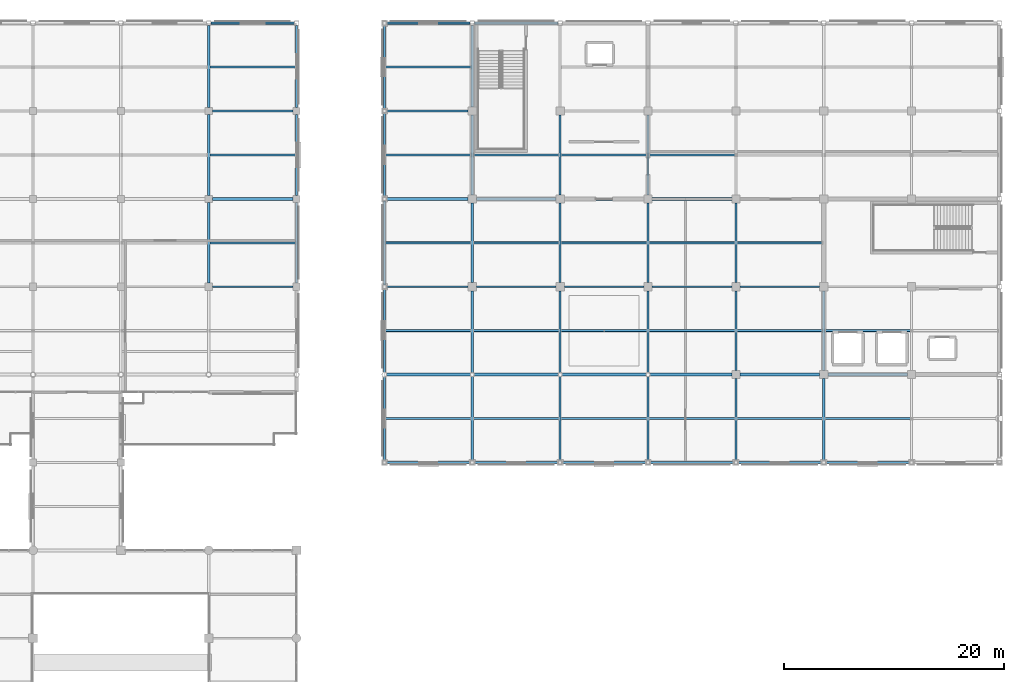
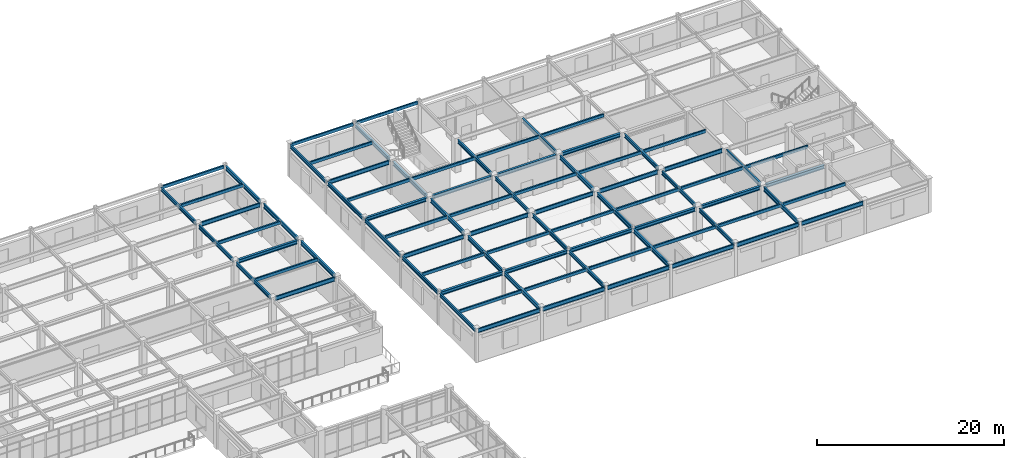
# One storey, part 49 of 93: 82 beams.
"""IFC4 building model written with IfcOpenShell, lengths in metres."""

from ifc_helpers import new_model, si_unit, direction, frame, origin, origin_2d, place, context, subcontext, project, spatial, hollow_rectangle, i_section, extrude, material, material_profile, profile_set, type_object, element, save


model = new_model("IFC4")

# Units and contexts
model_context = context("Model", 3, precision=1e-05, world=origin(), true_north=direction((0.0, 1.0)))
body_context = subcontext(model_context, "Body", "Model", "MODEL_VIEW")
ifc_project = project(units=[si_unit("LENGTHUNIT", "METRE"), si_unit("AREAUNIT", "SQUARE_METRE"), si_unit("VOLUMEUNIT", "CUBIC_METRE"), si_unit("PLANEANGLEUNIT", "RADIAN"), si_unit("MASSUNIT", "GRAM", prefix="KILO")], contexts=[model_context])

# Site, building, storey
site_placement = place(None, origin())
site = spatial("IfcSite", under=ifc_project, at=site_placement, CompositionType="ELEMENT")
building_placement = place(site_placement, origin())
building = spatial("IfcBuilding", under=site, at=building_placement, Name="Solmirada Galleria", CompositionType="ELEMENT")
storey_placement = place(building_placement, frame((0.0, 0.0, 14.89990234375)))
storey = spatial("IfcBuildingStorey", under=building, at=storey_placement, Name="L03", CompositionType="ELEMENT", Elevation=14.89990234375)

# Beams
ifc_material_1 = material(Name="Steel S355 / ASTM A992 Grade 50", Category="steel")
ifc_material_profile_1 = material_profile(ifc_material_1, i_section(OverallWidth=0.281982421875, OverallDepth=0.467041015625, WebThickness=0.01220703125, FlangeThickness=0.01953125, FilletRadius=0.013916015625, at=origin_2d()), Name="W18X86")
ifc_profile_set_1 = profile_set([ifc_material_profile_1], Name="Steel S355 / ASTM A992 Grade 50")
beam_type_1 = type_object("IfcBeamType", Name="BM-GIRD-W18A", PredefinedType="BEAM", material=ifc_profile_set_1)
beam_1_placement = place(storey_placement, frame((104.324951171875, 104.0, 4.066650390625), z_axis=(1.0, 0.0, 0.0), x_axis=(0.0, 1.0, 0.0)))
element("IfcBeam", 1, at=beam_1_placement, inside=storey, type_object=beam_type_1, Name="Primary beam L04 X(104..112, 104)", PredefinedType="BEAM", context=body_context, shape_type="SweptSolid", body=[
    extrude(i_section(OverallWidth=0.281982421875, OverallDepth=0.467041015625, WebThickness=0.01220703125, FlangeThickness=0.01953125, FilletRadius=0.013916015625, at=origin_2d()), origin(), (0.0, 0.0, 1.0), 7.35009765625),
])
beam_2_placement = place(storey_placement, frame((120.19189453125, 88.0, 4.026611328125), z_axis=(1.0, 0.0, 0.0), x_axis=(0.0, 1.0, 0.0)))
element("IfcBeam", 2, at=beam_2_placement, inside=storey, type_object=beam_type_1, Name="Primary beam L04 X(120..128, 88)", PredefinedType="BEAM", context=body_context, shape_type="SweptSolid", body=[
    extrude(i_section(OverallWidth=0.281982421875, OverallDepth=0.467041015625, WebThickness=0.01220703125, FlangeThickness=0.01953125, FilletRadius=0.013916015625, at=origin_2d()), origin(), (0.0, 0.0, 1.0), 7.6376953125),
])
beam_3_placement = place(storey_placement, frame((120.177978515625, 104.0, 4.026611328125), z_axis=(1.0, 0.0, 0.0), x_axis=(0.0, 1.0, 0.0)))
element("IfcBeam", 3, at=beam_3_placement, inside=storey, type_object=beam_type_1, Name="Primary beam L04 X(120..128, 104)", PredefinedType="BEAM", context=body_context, shape_type="SweptSolid", body=[
    extrude(i_section(OverallWidth=0.281982421875, OverallDepth=0.467041015625, WebThickness=0.01220703125, FlangeThickness=0.01953125, FilletRadius=0.013916015625, at=origin_2d()), origin(), (0.0, 0.0, 1.0), 7.447021484375),
])
beam_4_placement = place(storey_placement, frame((128.17041015625, 88.0, 4.026611328125), z_axis=(1.0, 0.0, 0.0), x_axis=(0.0, 1.0, 0.0)))
element("IfcBeam", 4, at=beam_4_placement, inside=storey, type_object=beam_type_1, Name="Primary beam L04 X(128..136, 88)", PredefinedType="BEAM", context=body_context, shape_type="SweptSolid", body=[
    extrude(i_section(OverallWidth=0.281982421875, OverallDepth=0.467041015625, WebThickness=0.01220703125, FlangeThickness=0.01953125, FilletRadius=0.013916015625, at=origin_2d()), origin(), (0.0, 0.0, 1.0), 7.6591796875),
])
beam_5_placement = place(storey_placement, frame((128.375, 104.0, 4.066650390625), z_axis=(1.0, 0.0, 0.0), x_axis=(0.0, 1.0, 0.0)))
element("IfcBeam", 5, at=beam_5_placement, inside=storey, type_object=beam_type_1, Name="Primary beam L04 X(128..136, 104)", PredefinedType="BEAM", context=body_context, shape_type="SweptSolid", body=[
    extrude(i_section(OverallWidth=0.281982421875, OverallDepth=0.467041015625, WebThickness=0.01220703125, FlangeThickness=0.01953125, FilletRadius=0.013916015625, at=origin_2d()), origin(), (0.0, 0.0, 1.0), 7.25),
])
beam_6_placement = place(storey_placement, frame((136.17041015625, 88.0, 4.026611328125), z_axis=(1.0, 0.0, 0.0), x_axis=(0.0, 1.0, 0.0)))
element("IfcBeam", 6, at=beam_6_placement, inside=storey, type_object=beam_type_1, Name="Primary beam L04 X(136..144, 88)", PredefinedType="BEAM", context=body_context, shape_type="SweptSolid", body=[
    extrude(i_section(OverallWidth=0.281982421875, OverallDepth=0.467041015625, WebThickness=0.01220703125, FlangeThickness=0.01953125, FilletRadius=0.013916015625, at=origin_2d()), origin(), (0.0, 0.0, 1.0), 7.6591796875),
])
beam_7_placement = place(storey_placement, frame((136.375, 104.0, 4.066650390625), z_axis=(1.0, 0.0, 0.0), x_axis=(0.0, 1.0, 0.0)))
element("IfcBeam", 7, at=beam_7_placement, inside=storey, type_object=beam_type_1, Name="Primary beam L04 X(136..144, 104)", PredefinedType="BEAM", context=body_context, shape_type="SweptSolid", body=[
    extrude(i_section(OverallWidth=0.281982421875, OverallDepth=0.467041015625, WebThickness=0.01220703125, FlangeThickness=0.01953125, FilletRadius=0.013916015625, at=origin_2d()), origin(), (0.0, 0.0, 1.0), 7.25),
])
beam_8_placement = place(storey_placement, frame((144.17041015625, 88.0, 4.026611328125), z_axis=(1.0, 0.0, 0.0), x_axis=(0.0, 1.0, 0.0)))
element("IfcBeam", 8, at=beam_8_placement, inside=storey, type_object=beam_type_1, Name="Primary beam L04 X(144..152, 88)", PredefinedType="BEAM", context=body_context, shape_type="SweptSolid", body=[
    extrude(i_section(OverallWidth=0.281982421875, OverallDepth=0.467041015625, WebThickness=0.01220703125, FlangeThickness=0.01953125, FilletRadius=0.013916015625, at=origin_2d()), origin(), (0.0, 0.0, 1.0), 7.45458984375),
])
for number, where, z_axis, x_axis, name in (
    (9, (144.375, 104.0, 4.066650390625), (1.0, 0.0, 0.0), (0.0, 1.0, 0.0), "Primary beam L04 X(144..152, 104)"),
    (10, (152.375, 88.0, 4.026611328125), (1.0, 0.0, 0.0), (0.0, 1.0, 0.0), "Primary beam L04 X(152..160, 88)"),
    (11, (160.375, 88.0, 4.026611328125), (1.0, 0.0, 0.0), (0.0, 1.0, 0.0), "Primary beam L04 X(160..168, 88)"),
):
    element("IfcBeam", number, at=place(storey_placement, frame(where, z_axis=z_axis, x_axis=x_axis)), inside=storey, type_object=beam_type_1, Name=name, PredefinedType="BEAM", context=body_context, shape_type="SweptSolid", body=[
        extrude(i_section(OverallWidth=0.281982421875, OverallDepth=0.467041015625, WebThickness=0.01220703125, FlangeThickness=0.01953125, FilletRadius=0.013916015625, at=origin_2d()), origin(), (0.0, 0.0, 1.0), 7.25),
    ])
ifc_material_profile_2 = material_profile(ifc_material_1, i_section(OverallWidth=0.194091796875, OverallDepth=0.468994140625, WebThickness=0.0126953125, FlangeThickness=0.0205078125, FilletRadius=0.013916015625, at=origin_2d()), Name="W18X71")
ifc_profile_set_2 = profile_set([ifc_material_profile_2], Name="Steel S355 / ASTM A992 Grade 50")
beam_type_2 = type_object("IfcBeamType", Name="BM-GIRD-W18B", PredefinedType="BEAM", material=ifc_profile_set_2)
for number, where, z_axis, x_axis, name in (
    (12, (104.0, 96.324951171875, 4.065673828125), (0.0, 1.0, 0.0), (-1.0, 0.0, 0.0), "Primary girder L04 Y(104, 96..104)"),
    (13, (104.0, 104.324951171875, 4.065673828125), (0.0, 1.0, 0.0), (-1.0, 0.0, 0.0), "Primary girder L04 Y(104, 104..112)"),
):
    element("IfcBeam", number, at=place(storey_placement, frame(where, z_axis=z_axis, x_axis=x_axis)), inside=storey, type_object=beam_type_2, Name=name, PredefinedType="BEAM", context=body_context, shape_type="SweptSolid", body=[
        extrude(i_section(OverallWidth=0.194091796875, OverallDepth=0.468994140625, WebThickness=0.0126953125, FlangeThickness=0.0205078125, FilletRadius=0.013916015625, at=origin_2d()), origin(), (0.0, 0.0, 1.0), 7.35009765625),
    ])
beam_9_placement = place(storey_placement, frame((104.0, 112.324951171875, 4.065673828125), z_axis=(0.0, 1.0, 0.0), x_axis=(-1.0, 0.0, 0.0)))
element("IfcBeam", 14, at=beam_9_placement, inside=storey, type_object=beam_type_2, Name="Primary girder L04 Y(104, 112..120)", PredefinedType="BEAM", context=body_context, shape_type="SweptSolid", body=[
    extrude(i_section(OverallWidth=0.194091796875, OverallDepth=0.468994140625, WebThickness=0.0126953125, FlangeThickness=0.0205078125, FilletRadius=0.013916015625, at=origin_2d()), origin(), (0.0, 0.0, 1.0), 7.47216796875),
])
for number, where, z_axis, x_axis, name in (
    (15, (120.0, 80.177978515625, 4.025634765625), (0.0, 1.0, 0.0), (-1.0, 0.0, 0.0), "Primary girder L04 Y(120, 80..88)"),
    (16, (120.0, 88.19189453125, 4.025634765625), (0.0, 1.0, 0.0), (-1.0, 0.0, 0.0), "Primary girder L04 Y(120, 88..96)"),
):
    element("IfcBeam", number, at=place(storey_placement, frame(where, z_axis=z_axis, x_axis=x_axis)), inside=storey, type_object=beam_type_2, Name=name, PredefinedType="BEAM", context=body_context, shape_type="SweptSolid", body=[
        extrude(i_section(OverallWidth=0.194091796875, OverallDepth=0.468994140625, WebThickness=0.0126953125, FlangeThickness=0.0205078125, FilletRadius=0.013916015625, at=origin_2d()), origin(), (0.0, 0.0, 1.0), 7.630126953125),
    ])
for number, where, z_axis, x_axis, name in (
    (17, (120.0, 96.177978515625, 4.025634765625), (0.0, 1.0, 0.0), (-1.0, 0.0, 0.0), "Primary girder L04 Y(120, 96..104)"),
    (18, (120.0, 104.177978515625, 4.025634765625), (0.0, 1.0, 0.0), (-1.0, 0.0, 0.0), "Primary girder L04 Y(120, 104..112)"),
    (19, (120.0, 112.177978515625, 4.025634765625), (0.0, 1.0, 0.0), (-1.0, 0.0, 0.0), "Primary girder L04 Y(120, 112..120)"),
):
    element("IfcBeam", number, at=place(storey_placement, frame(where, z_axis=z_axis, x_axis=x_axis)), inside=storey, type_object=beam_type_2, Name=name, PredefinedType="BEAM", context=body_context, shape_type="SweptSolid", body=[
        extrude(i_section(OverallWidth=0.194091796875, OverallDepth=0.468994140625, WebThickness=0.0126953125, FlangeThickness=0.0205078125, FilletRadius=0.013916015625, at=origin_2d()), origin(), (0.0, 0.0, 1.0), 7.64404296875),
    ])
beam_10_placement = place(storey_placement, frame((136.0, 80.177978515625, 4.025634765625), z_axis=(0.0, 1.0, 0.0), x_axis=(-1.0, 0.0, 0.0)))
element("IfcBeam", 20, at=beam_10_placement, inside=storey, type_object=beam_type_2, Name="Primary girder L04 Y(136, 80..88)", PredefinedType="BEAM", context=body_context, shape_type="SweptSolid", body=[
    extrude(i_section(OverallWidth=0.194091796875, OverallDepth=0.468994140625, WebThickness=0.0126953125, FlangeThickness=0.0205078125, FilletRadius=0.013916015625, at=origin_2d()), origin(), (0.0, 0.0, 1.0), 7.651611328125),
])
beam_11_placement = place(storey_placement, frame((136.0, 88.17041015625, 4.065673828125), z_axis=(0.0, 1.0, 0.0), x_axis=(-1.0, 0.0, 0.0)))
element("IfcBeam", 21, at=beam_11_placement, inside=storey, type_object=beam_type_2, Name="Primary girder L04 Y(136, 88..96)", PredefinedType="BEAM", context=body_context, shape_type="SweptSolid", body=[
    extrude(i_section(OverallWidth=0.194091796875, OverallDepth=0.468994140625, WebThickness=0.0126953125, FlangeThickness=0.0205078125, FilletRadius=0.013916015625, at=origin_2d()), origin(), (0.0, 0.0, 1.0), 7.45458984375),
])
for number, where, z_axis, x_axis, name in (
    (22, (136.0, 96.375, 4.065673828125), (0.0, 1.0, 0.0), (-1.0, 0.0, 0.0), "Primary girder L04 Y(136, 96..104)"),
    (23, (136.0, 104.375, 4.065673828125), (0.0, 1.0, 0.0), (-1.0, 0.0, 0.0), "Primary girder L04 Y(136, 104..112)"),
):
    element("IfcBeam", number, at=place(storey_placement, frame(where, z_axis=z_axis, x_axis=x_axis)), inside=storey, type_object=beam_type_2, Name=name, PredefinedType="BEAM", context=body_context, shape_type="SweptSolid", body=[
        extrude(i_section(OverallWidth=0.194091796875, OverallDepth=0.468994140625, WebThickness=0.0126953125, FlangeThickness=0.0205078125, FilletRadius=0.013916015625, at=origin_2d()), origin(), (0.0, 0.0, 1.0), 7.25),
    ])
beam_12_placement = place(storey_placement, frame((152.0, 80.177978515625, 4.025634765625), z_axis=(0.0, 1.0, 0.0), x_axis=(-1.0, 0.0, 0.0)))
element("IfcBeam", 24, at=beam_12_placement, inside=storey, type_object=beam_type_2, Name="Primary girder L04 Y(152, 80..88)", PredefinedType="BEAM", context=body_context, shape_type="SweptSolid", body=[
    extrude(i_section(OverallWidth=0.194091796875, OverallDepth=0.468994140625, WebThickness=0.0126953125, FlangeThickness=0.0205078125, FilletRadius=0.013916015625, at=origin_2d()), origin(), (0.0, 0.0, 1.0), 7.447021484375),
])
for number, where, z_axis, x_axis, name in (
    (25, (152.0, 88.375, 4.065673828125), (0.0, 1.0, 0.0), (-1.0, 0.0, 0.0), "Primary girder L04 Y(152, 88..96)"),
    (26, (152.0, 96.375, 4.065673828125), (0.0, 1.0, 0.0), (-1.0, 0.0, 0.0), "Primary girder L04 Y(152, 96..104)"),
):
    element("IfcBeam", number, at=place(storey_placement, frame(where, z_axis=z_axis, x_axis=x_axis)), inside=storey, type_object=beam_type_2, Name=name, PredefinedType="BEAM", context=body_context, shape_type="SweptSolid", body=[
        extrude(i_section(OverallWidth=0.194091796875, OverallDepth=0.468994140625, WebThickness=0.0126953125, FlangeThickness=0.0205078125, FilletRadius=0.013916015625, at=origin_2d()), origin(), (0.0, 0.0, 1.0), 7.25),
    ])
ifc_material_profile_3 = material_profile(ifc_material_1, i_section(OverallWidth=0.2099609375, OverallDepth=0.537109375, WebThickness=0.010986328125, FlangeThickness=0.017333984375, FilletRadius=0.014892578125, at=origin_2d()), Name="W21X68")
ifc_profile_set_3 = profile_set([ifc_material_profile_3], Name="Steel S355 / ASTM A992 Grade 50")
beam_type_3 = type_object("IfcBeamType", Name="BM-GIRD-W21B", PredefinedType="BEAM", material=ifc_profile_set_3)
for number, where, z_axis, x_axis, name in (
    (27, (112.0, 96.324951171875, 4.031494140625), (0.0, 1.0, 0.0), (-1.0, 0.0, 0.0), "Primary girder L04 Y(112, 96..104)"),
    (28, (112.0, 104.324951171875, 4.031494140625), (0.0, 1.0, 0.0), (-1.0, 0.0, 0.0), "Primary girder L04 Y(112, 104..112)"),
):
    element("IfcBeam", number, at=place(storey_placement, frame(where, z_axis=z_axis, x_axis=x_axis)), inside=storey, type_object=beam_type_3, Name=name, PredefinedType="BEAM", context=body_context, shape_type="SweptSolid", body=[
        extrude(i_section(OverallWidth=0.2099609375, OverallDepth=0.537109375, WebThickness=0.010986328125, FlangeThickness=0.017333984375, FilletRadius=0.014892578125, at=origin_2d()), origin(), (0.0, 0.0, 1.0), 7.35009765625),
    ])
beam_13_placement = place(storey_placement, frame((112.0, 112.324951171875, 4.031494140625), z_axis=(0.0, 1.0, 0.0), x_axis=(-1.0, 0.0, 0.0)))
element("IfcBeam", 29, at=beam_13_placement, inside=storey, type_object=beam_type_3, Name="Primary girder L04 Y(112, 112..120)", PredefinedType="BEAM", context=body_context, shape_type="SweptSolid", body=[
    extrude(i_section(OverallWidth=0.2099609375, OverallDepth=0.537109375, WebThickness=0.010986328125, FlangeThickness=0.017333984375, FilletRadius=0.014892578125, at=origin_2d()), origin(), (0.0, 0.0, 1.0), 7.47216796875),
])
beam_14_placement = place(storey_placement, frame((128.0, 80.177978515625, 3.99169921875), z_axis=(0.0, 1.0, 0.0), x_axis=(-1.0, 0.0, 0.0)))
element("IfcBeam", 30, at=beam_14_placement, inside=storey, type_object=beam_type_3, Name="Primary girder L04 Y(128, 80..88)", PredefinedType="BEAM", context=body_context, shape_type="SweptSolid", body=[
    extrude(i_section(OverallWidth=0.2099609375, OverallDepth=0.537109375, WebThickness=0.010986328125, FlangeThickness=0.017333984375, FilletRadius=0.014892578125, at=origin_2d()), origin(), (0.0, 0.0, 1.0), 7.651611328125),
])
beam_15_placement = place(storey_placement, frame((128.0, 88.17041015625, 3.99169921875), z_axis=(0.0, 1.0, 0.0), x_axis=(-1.0, 0.0, 0.0)))
element("IfcBeam", 31, at=beam_15_placement, inside=storey, type_object=beam_type_3, Name="Primary girder L04 Y(128, 88..96)", PredefinedType="BEAM", context=body_context, shape_type="SweptSolid", body=[
    extrude(i_section(OverallWidth=0.2099609375, OverallDepth=0.537109375, WebThickness=0.010986328125, FlangeThickness=0.017333984375, FilletRadius=0.014892578125, at=origin_2d()), origin(), (0.0, 0.0, 1.0), 7.45458984375),
])
for number, where, z_axis, x_axis, name in (
    (32, (128.0, 96.375, 3.99169921875), (0.0, 1.0, 0.0), (-1.0, 0.0, 0.0), "Primary girder L04 Y(128, 96..104)"),
    (33, (128.0, 104.375, 3.99169921875), (0.0, 1.0, 0.0), (-1.0, 0.0, 0.0), "Primary girder L04 Y(128, 104..112)"),
):
    element("IfcBeam", number, at=place(storey_placement, frame(where, z_axis=z_axis, x_axis=x_axis)), inside=storey, type_object=beam_type_3, Name=name, PredefinedType="BEAM", context=body_context, shape_type="SweptSolid", body=[
        extrude(i_section(OverallWidth=0.2099609375, OverallDepth=0.537109375, WebThickness=0.010986328125, FlangeThickness=0.017333984375, FilletRadius=0.014892578125, at=origin_2d()), origin(), (0.0, 0.0, 1.0), 7.25),
    ])
beam_16_placement = place(storey_placement, frame((128.0, 112.375, 3.99169921875), z_axis=(0.0, 1.0, 0.0), x_axis=(-1.0, 0.0, 0.0)))
element("IfcBeam", 34, at=beam_16_placement, inside=storey, type_object=beam_type_3, Name="Primary girder L04 Y(128, 112..120)", PredefinedType="BEAM", context=body_context, shape_type="SweptSolid", body=[
    extrude(i_section(OverallWidth=0.2099609375, OverallDepth=0.537109375, WebThickness=0.010986328125, FlangeThickness=0.017333984375, FilletRadius=0.014892578125, at=origin_2d()), origin(), (0.0, 0.0, 1.0), 7.422119140625),
])
beam_17_placement = place(storey_placement, frame((144.0, 80.177978515625, 3.99169921875), z_axis=(0.0, 1.0, 0.0), x_axis=(-1.0, 0.0, 0.0)))
element("IfcBeam", 35, at=beam_17_placement, inside=storey, type_object=beam_type_3, Name="Primary girder L04 Y(144, 80..88)", PredefinedType="BEAM", context=body_context, shape_type="SweptSolid", body=[
    extrude(i_section(OverallWidth=0.2099609375, OverallDepth=0.537109375, WebThickness=0.010986328125, FlangeThickness=0.017333984375, FilletRadius=0.014892578125, at=origin_2d()), origin(), (0.0, 0.0, 1.0), 7.651611328125),
])
beam_18_placement = place(storey_placement, frame((144.0, 88.17041015625, 4.031494140625), z_axis=(0.0, 1.0, 0.0), x_axis=(-1.0, 0.0, 0.0)))
element("IfcBeam", 36, at=beam_18_placement, inside=storey, type_object=beam_type_3, Name="Primary girder L04 Y(144, 88..96)", PredefinedType="BEAM", context=body_context, shape_type="SweptSolid", body=[
    extrude(i_section(OverallWidth=0.2099609375, OverallDepth=0.537109375, WebThickness=0.010986328125, FlangeThickness=0.017333984375, FilletRadius=0.014892578125, at=origin_2d()), origin(), (0.0, 0.0, 1.0), 7.45458984375),
])
for number, where, z_axis, x_axis, name in (
    (37, (144.0, 96.375, 4.031494140625), (0.0, 1.0, 0.0), (-1.0, 0.0, 0.0), "Primary girder L04 Y(144, 96..104)"),
    (38, (144.0, 104.375, 4.031494140625), (0.0, 1.0, 0.0), (-1.0, 0.0, 0.0), "Primary girder L04 Y(144, 104..112)"),
):
    element("IfcBeam", number, at=place(storey_placement, frame(where, z_axis=z_axis, x_axis=x_axis)), inside=storey, type_object=beam_type_3, Name=name, PredefinedType="BEAM", context=body_context, shape_type="SweptSolid", body=[
        extrude(i_section(OverallWidth=0.2099609375, OverallDepth=0.537109375, WebThickness=0.010986328125, FlangeThickness=0.017333984375, FilletRadius=0.014892578125, at=origin_2d()), origin(), (0.0, 0.0, 1.0), 7.25),
    ])
beam_19_placement = place(storey_placement, frame((160.0, 80.177978515625, 3.99169921875), z_axis=(0.0, 1.0, 0.0), x_axis=(-1.0, 0.0, 0.0)))
element("IfcBeam", 39, at=beam_19_placement, inside=storey, type_object=beam_type_3, Name="Primary girder L04 Y(160, 80..88)", PredefinedType="BEAM", context=body_context, shape_type="SweptSolid", body=[
    extrude(i_section(OverallWidth=0.2099609375, OverallDepth=0.537109375, WebThickness=0.010986328125, FlangeThickness=0.017333984375, FilletRadius=0.014892578125, at=origin_2d()), origin(), (0.0, 0.0, 1.0), 7.447021484375),
])
beam_20_placement = place(storey_placement, frame((160.0, 88.375, 4.031494140625), z_axis=(0.0, 1.0, 0.0), x_axis=(-1.0, 0.0, 0.0)))
element("IfcBeam", 40, at=beam_20_placement, inside=storey, type_object=beam_type_3, Name="Primary girder L04 Y(160, 88..96)", PredefinedType="BEAM", context=body_context, shape_type="SweptSolid", body=[
    extrude(i_section(OverallWidth=0.2099609375, OverallDepth=0.537109375, WebThickness=0.010986328125, FlangeThickness=0.017333984375, FilletRadius=0.014892578125, at=origin_2d()), origin(), (0.0, 0.0, 1.0), 7.25),
])
ifc_material_profile_4 = material_profile(ifc_material_1, i_section(OverallWidth=0.1669921875, OverallDepth=0.534912109375, WebThickness=0.01025390625, FlangeThickness=0.0166015625, FilletRadius=0.013916015625, at=origin_2d()), Name="W21X57")
ifc_profile_set_4 = profile_set([ifc_material_profile_4], Name="Steel S355 / ASTM A992 Grade 50")
beam_type_4 = type_object("IfcBeamType", Name="BM-GIRD-W21C", PredefinedType="BEAM", material=ifc_profile_set_4)
for number, where, z_axis, x_axis, name in (
    (41, (104.324951171875, 96.0, 4.03271484375), (1.0, 0.0, 0.0), (0.0, 1.0, 0.0), "Primary beam L04 X(104..112, 96)"),
    (42, (104.324951171875, 112.0, 4.03271484375), (1.0, 0.0, 0.0), (0.0, 1.0, 0.0), "Primary beam L04 X(104..112, 112)"),
):
    element("IfcBeam", number, at=place(storey_placement, frame(where, z_axis=z_axis, x_axis=x_axis)), inside=storey, type_object=beam_type_4, Name=name, PredefinedType="BEAM", context=body_context, shape_type="SweptSolid", body=[
        extrude(i_section(OverallWidth=0.1669921875, OverallDepth=0.534912109375, WebThickness=0.01025390625, FlangeThickness=0.0166015625, FilletRadius=0.013916015625, at=origin_2d()), origin(), (0.0, 0.0, 1.0), 7.35009765625),
    ])
beam_21_placement = place(storey_placement, frame((120.177978515625, 80.0, 3.99267578125), z_axis=(1.0, 0.0, 0.0), x_axis=(0.0, 1.0, 0.0)))
element("IfcBeam", 43, at=beam_21_placement, inside=storey, type_object=beam_type_4, Name="Primary beam L04 X(120..128, 80)", PredefinedType="BEAM", context=body_context, shape_type="SweptSolid", body=[
    extrude(i_section(OverallWidth=0.1669921875, OverallDepth=0.534912109375, WebThickness=0.01025390625, FlangeThickness=0.0166015625, FilletRadius=0.013916015625, at=origin_2d()), origin(), (0.0, 0.0, 1.0), 7.64404296875),
])
for number, where, z_axis, x_axis, name in (
    (44, (120.177978515625, 96.0, 3.99267578125), (1.0, 0.0, 0.0), (0.0, 1.0, 0.0), "Primary beam L04 X(120..128, 96)"),
    (45, (120.177978515625, 112.0, 3.99267578125), (1.0, 0.0, 0.0), (0.0, 1.0, 0.0), "Primary beam L04 X(120..128, 112)"),
):
    element("IfcBeam", number, at=place(storey_placement, frame(where, z_axis=z_axis, x_axis=x_axis)), inside=storey, type_object=beam_type_4, Name=name, PredefinedType="BEAM", context=body_context, shape_type="SweptSolid", body=[
        extrude(i_section(OverallWidth=0.1669921875, OverallDepth=0.534912109375, WebThickness=0.01025390625, FlangeThickness=0.0166015625, FilletRadius=0.013916015625, at=origin_2d()), origin(), (0.0, 0.0, 1.0), 7.447021484375),
    ])
beam_22_placement = place(storey_placement, frame((128.177978515625, 80.0, 3.99267578125), z_axis=(1.0, 0.0, 0.0), x_axis=(0.0, 1.0, 0.0)))
element("IfcBeam", 46, at=beam_22_placement, inside=storey, type_object=beam_type_4, Name="Primary beam L04 X(128..136, 80)", PredefinedType="BEAM", context=body_context, shape_type="SweptSolid", body=[
    extrude(i_section(OverallWidth=0.1669921875, OverallDepth=0.534912109375, WebThickness=0.01025390625, FlangeThickness=0.0166015625, FilletRadius=0.013916015625, at=origin_2d()), origin(), (0.0, 0.0, 1.0), 7.64404296875),
])
beam_23_placement = place(storey_placement, frame((128.375, 96.0, 4.03271484375), z_axis=(1.0, 0.0, 0.0), x_axis=(0.0, 1.0, 0.0)))
element("IfcBeam", 47, at=beam_23_placement, inside=storey, type_object=beam_type_4, Name="Primary beam L04 X(128..136, 96)", PredefinedType="BEAM", context=body_context, shape_type="SweptSolid", body=[
    extrude(i_section(OverallWidth=0.1669921875, OverallDepth=0.534912109375, WebThickness=0.01025390625, FlangeThickness=0.0166015625, FilletRadius=0.013916015625, at=origin_2d()), origin(), (0.0, 0.0, 1.0), 7.25),
])
beam_24_placement = place(storey_placement, frame((136.177978515625, 80.0, 3.99267578125), z_axis=(1.0, 0.0, 0.0), x_axis=(0.0, 1.0, 0.0)))
element("IfcBeam", 48, at=beam_24_placement, inside=storey, type_object=beam_type_4, Name="Primary beam L04 X(136..144, 80)", PredefinedType="BEAM", context=body_context, shape_type="SweptSolid", body=[
    extrude(i_section(OverallWidth=0.1669921875, OverallDepth=0.534912109375, WebThickness=0.01025390625, FlangeThickness=0.0166015625, FilletRadius=0.013916015625, at=origin_2d()), origin(), (0.0, 0.0, 1.0), 7.64404296875),
])
beam_25_placement = place(storey_placement, frame((136.375, 96.0, 4.03271484375), z_axis=(1.0, 0.0, 0.0), x_axis=(0.0, 1.0, 0.0)))
element("IfcBeam", 49, at=beam_25_placement, inside=storey, type_object=beam_type_4, Name="Primary beam L04 X(136..144, 96)", PredefinedType="BEAM", context=body_context, shape_type="SweptSolid", body=[
    extrude(i_section(OverallWidth=0.1669921875, OverallDepth=0.534912109375, WebThickness=0.01025390625, FlangeThickness=0.0166015625, FilletRadius=0.013916015625, at=origin_2d()), origin(), (0.0, 0.0, 1.0), 7.25),
])
beam_26_placement = place(storey_placement, frame((144.177978515625, 80.0, 3.99267578125), z_axis=(1.0, 0.0, 0.0), x_axis=(0.0, 1.0, 0.0)))
element("IfcBeam", 50, at=beam_26_placement, inside=storey, type_object=beam_type_4, Name="Primary beam L04 X(144..152, 80)", PredefinedType="BEAM", context=body_context, shape_type="SweptSolid", body=[
    extrude(i_section(OverallWidth=0.1669921875, OverallDepth=0.534912109375, WebThickness=0.01025390625, FlangeThickness=0.0166015625, FilletRadius=0.013916015625, at=origin_2d()), origin(), (0.0, 0.0, 1.0), 7.64404296875),
])
beam_27_placement = place(storey_placement, frame((144.375, 96.0, 4.03271484375), z_axis=(1.0, 0.0, 0.0), x_axis=(0.0, 1.0, 0.0)))
element("IfcBeam", 51, at=beam_27_placement, inside=storey, type_object=beam_type_4, Name="Primary beam L04 X(144..152, 96)", PredefinedType="BEAM", context=body_context, shape_type="SweptSolid", body=[
    extrude(i_section(OverallWidth=0.1669921875, OverallDepth=0.534912109375, WebThickness=0.01025390625, FlangeThickness=0.0166015625, FilletRadius=0.013916015625, at=origin_2d()), origin(), (0.0, 0.0, 1.0), 7.25),
])
beam_28_placement = place(storey_placement, frame((152.177978515625, 80.0, 3.99267578125), z_axis=(1.0, 0.0, 0.0), x_axis=(0.0, 1.0, 0.0)))
element("IfcBeam", 52, at=beam_28_placement, inside=storey, type_object=beam_type_4, Name="Primary beam L04 X(152..160, 80)", PredefinedType="BEAM", context=body_context, shape_type="SweptSolid", body=[
    extrude(i_section(OverallWidth=0.1669921875, OverallDepth=0.534912109375, WebThickness=0.01025390625, FlangeThickness=0.0166015625, FilletRadius=0.013916015625, at=origin_2d()), origin(), (0.0, 0.0, 1.0), 7.64404296875),
])
beam_29_placement = place(storey_placement, frame((152.375, 96.0, 4.03271484375), z_axis=(1.0, 0.0, 0.0), x_axis=(0.0, 1.0, 0.0)))
element("IfcBeam", 53, at=beam_29_placement, inside=storey, type_object=beam_type_4, Name="Primary beam L04 X(152..160, 96)", PredefinedType="BEAM", context=body_context, shape_type="SweptSolid", body=[
    extrude(i_section(OverallWidth=0.1669921875, OverallDepth=0.534912109375, WebThickness=0.01025390625, FlangeThickness=0.0166015625, FilletRadius=0.013916015625, at=origin_2d()), origin(), (0.0, 0.0, 1.0), 7.25),
])
beam_30_placement = place(storey_placement, frame((160.177978515625, 80.0, 3.99267578125), z_axis=(1.0, 0.0, 0.0), x_axis=(0.0, 1.0, 0.0)))
element("IfcBeam", 54, at=beam_30_placement, inside=storey, type_object=beam_type_4, Name="Primary beam L04 X(160..168, 80)", PredefinedType="BEAM", context=body_context, shape_type="SweptSolid", body=[
    extrude(i_section(OverallWidth=0.1669921875, OverallDepth=0.534912109375, WebThickness=0.01025390625, FlangeThickness=0.0166015625, FilletRadius=0.013916015625, at=origin_2d()), origin(), (0.0, 0.0, 1.0), 7.64404296875),
])
ifc_material_2 = material(Name="Steel S355 / ASTM A500 Grade C", Category="steel")
ifc_material_profile_5 = material_profile(ifc_material_2, hollow_rectangle(XDim=0.202880859375, YDim=0.406005859375, WallThickness=0.01171875, InnerFilletRadius=0.01171875, OuterFilletRadius=0.023681640625, at=origin_2d()), Name="HSS16X8X1/2")
ifc_profile_set_5 = profile_set([ifc_material_profile_5], Name="Steel S355 / ASTM A500 Grade C")
beam_type_5 = type_object("IfcBeamType", Name="BM-JST-W16B", PredefinedType="JOIST", material=ifc_profile_set_5)
for number, where, z_axis, x_axis, name in (
    (55, (104.096923828125, 100.0, 4.09716796875), (1.0, 0.0, 0.0), (0.0, 1.0, 0.0), "Composite floor joist L04 (104..112, 100.0)"),
    (56, (104.096923828125, 108.0, 4.09716796875), (1.0, 0.0, 0.0), (0.0, 1.0, 0.0), "Composite floor joist L04 (104..112, 108.0)"),
    (57, (104.096923828125, 116.0, 4.09716796875), (1.0, 0.0, 0.0), (0.0, 1.0, 0.0), "Composite floor joist L04 (104..112, 116.0)"),
    (58, (120.096923828125, 84.0, 4.05712890625), (1.0, 0.0, 0.0), (0.0, 1.0, 0.0), "Composite floor joist L04 (120..128, 84.0)"),
    (59, (120.096923828125, 92.0, 4.05712890625), (1.0, 0.0, 0.0), (0.0, 1.0, 0.0), "Composite floor joist L04 (120..128, 92.0)"),
    (60, (120.096923828125, 100.0, 4.05712890625), (1.0, 0.0, 0.0), (0.0, 1.0, 0.0), "Composite floor joist L04 (120..128, 100.0)"),
    (61, (120.096923828125, 108.0, 4.05712890625), (1.0, 0.0, 0.0), (0.0, 1.0, 0.0), "Composite floor joist L04 (120..128, 108.0)"),
    (62, (120.096923828125, 116.0, 4.05712890625), (1.0, 0.0, 0.0), (0.0, 1.0, 0.0), "Composite floor joist L04 (120..128, 116.0)"),
    (63, (128.10498046875, 84.0, 4.05712890625), (1.0, 0.0, 0.0), (0.0, 1.0, 0.0), "Composite floor joist L04 (128..136, 84.0)"),
    (64, (128.10498046875, 92.0, 4.05712890625), (1.0, 0.0, 0.0), (0.0, 1.0, 0.0), "Composite floor joist L04 (128..136, 92.0)"),
    (65, (128.10498046875, 100.0, 4.05712890625), (1.0, 0.0, 0.0), (0.0, 1.0, 0.0), "Composite floor joist L04 (128..136, 100.0)"),
    (66, (128.10498046875, 108.0, 4.05712890625), (1.0, 0.0, 0.0), (0.0, 1.0, 0.0), "Composite floor joist L04 (128..136, 108.0)"),
    (67, (136.096923828125, 84.0, 4.05712890625), (1.0, 0.0, 0.0), (0.0, 1.0, 0.0), "Composite floor joist L04 (136..144, 84.0)"),
    (68, (136.096923828125, 92.0, 4.09716796875), (1.0, 0.0, 0.0), (0.0, 1.0, 0.0), "Composite floor joist L04 (136..144, 92.0)"),
    (69, (136.096923828125, 100.0, 4.09716796875), (1.0, 0.0, 0.0), (0.0, 1.0, 0.0), "Composite floor joist L04 (136..144, 100.0)"),
    (70, (136.096923828125, 108.0, 4.09716796875), (1.0, 0.0, 0.0), (0.0, 1.0, 0.0), "Composite floor joist L04 (136..144, 108.0)"),
    (71, (144.10498046875, 84.0, 4.05712890625), (1.0, 0.0, 0.0), (0.0, 1.0, 0.0), "Composite floor joist L04 (144..152, 84.0)"),
    (72, (144.10498046875, 92.0, 4.09716796875), (1.0, 0.0, 0.0), (0.0, 1.0, 0.0), "Composite floor joist L04 (144..152, 92.0)"),
    (73, (144.10498046875, 100.0, 4.09716796875), (1.0, 0.0, 0.0), (0.0, 1.0, 0.0), "Composite floor joist L04 (144..152, 100.0)"),
    (74, (144.10498046875, 108.0, 4.09716796875), (1.0, 0.0, 0.0), (0.0, 1.0, 0.0), "Composite floor joist L04 (144..152, 108.0)"),
    (75, (152.096923828125, 84.0, 4.05712890625), (1.0, 0.0, 0.0), (0.0, 1.0, 0.0), "Composite floor joist L04 (152..160, 84.0)"),
    (76, (152.096923828125, 92.0, 4.09716796875), (1.0, 0.0, 0.0), (0.0, 1.0, 0.0), "Composite floor joist L04 (152..160, 92.0)"),
    (77, (152.096923828125, 100.0, 4.09716796875), (1.0, 0.0, 0.0), (0.0, 1.0, 0.0), "Composite floor joist L04 (152..160, 100.0)"),
    (78, (160.10498046875, 84.0, 4.05712890625), (1.0, 0.0, 0.0), (0.0, 1.0, 0.0), "Composite floor joist L04 (160..168, 84.0)"),
    (79, (160.10498046875, 92.0, 4.09716796875), (1.0, 0.0, 0.0), (0.0, 1.0, 0.0), "Composite floor joist L04 (160..168, 92.0)"),
):
    element("IfcBeam", number, at=place(storey_placement, frame(where, z_axis=z_axis, x_axis=x_axis)), inside=storey, type_object=beam_type_5, Name=name, PredefinedType="JOIST", context=body_context, shape_type="SweptSolid", body=[
        extrude(hollow_rectangle(XDim=0.202880859375, YDim=0.406005859375, WallThickness=0.01171875, InnerFilletRadius=0.01171875, OuterFilletRadius=0.023681640625, at=origin_2d()), origin(), (0.0, 0.0, 1.0), 7.798095703125),
    ])
ifc_material_profile_6 = material_profile(ifc_material_2, hollow_rectangle(XDim=0.202880859375, YDim=0.406005859375, WallThickness=0.01171875, InnerFilletRadius=0.01171875, OuterFilletRadius=0.023681640625, at=origin_2d()), Name="HSS16X8X1/2")
ifc_profile_set_6 = profile_set([ifc_material_profile_6], Name="Steel S355 / ASTM A500 Grade C")
beam_type_6 = type_object("IfcBeamType", Name="BM-SPAND-W16A", PredefinedType="SPANDREL", material=ifc_profile_set_6)
beam_31_placement = place(storey_placement, frame((104.202880859375, 120.0, 4.09716796875), z_axis=(1.0, 0.0, 0.0), x_axis=(0.0, 1.0, 0.0)))
element("IfcBeam", 80, at=beam_31_placement, inside=storey, type_object=beam_type_6, Name="Primary beam L04 X(104..112, 120)", PredefinedType="SPANDREL", context=body_context, shape_type="SweptSolid", body=[
    extrude(hollow_rectangle(XDim=0.202880859375, YDim=0.406005859375, WallThickness=0.01171875, InnerFilletRadius=0.01171875, OuterFilletRadius=0.023681640625, at=origin_2d()), origin(), (0.0, 0.0, 1.0), 7.59423828125),
])
beam_32_placement = place(storey_placement, frame((120.177978515625, 120.0, 4.05712890625), z_axis=(1.0, 0.0, 0.0), x_axis=(0.0, 1.0, 0.0)))
element("IfcBeam", 81, at=beam_32_placement, inside=storey, type_object=beam_type_6, Name="Primary beam L04 X(120..128, 120)", PredefinedType="SPANDREL", context=body_context, shape_type="SweptSolid", body=[
    extrude(hollow_rectangle(XDim=0.202880859375, YDim=0.406005859375, WallThickness=0.01171875, InnerFilletRadius=0.01171875, OuterFilletRadius=0.023681640625, at=origin_2d()), origin(), (0.0, 0.0, 1.0), 7.619140625),
])
beam_33_placement = place(storey_placement, frame((128.202880859375, 120.0, 4.09716796875), z_axis=(1.0, 0.0, 0.0), x_axis=(0.0, 1.0, 0.0)))
element("IfcBeam", 82, at=beam_33_placement, inside=storey, type_object=beam_type_6, Name="Primary beam L04 X(128..136, 120)", PredefinedType="SPANDREL", context=body_context, shape_type="SweptSolid", body=[
    extrude(hollow_rectangle(XDim=0.202880859375, YDim=0.406005859375, WallThickness=0.01171875, InnerFilletRadius=0.01171875, OuterFilletRadius=0.023681640625, at=origin_2d()), origin(), (0.0, 0.0, 1.0), 7.59423828125),
])

save(model, "model.ifc")
